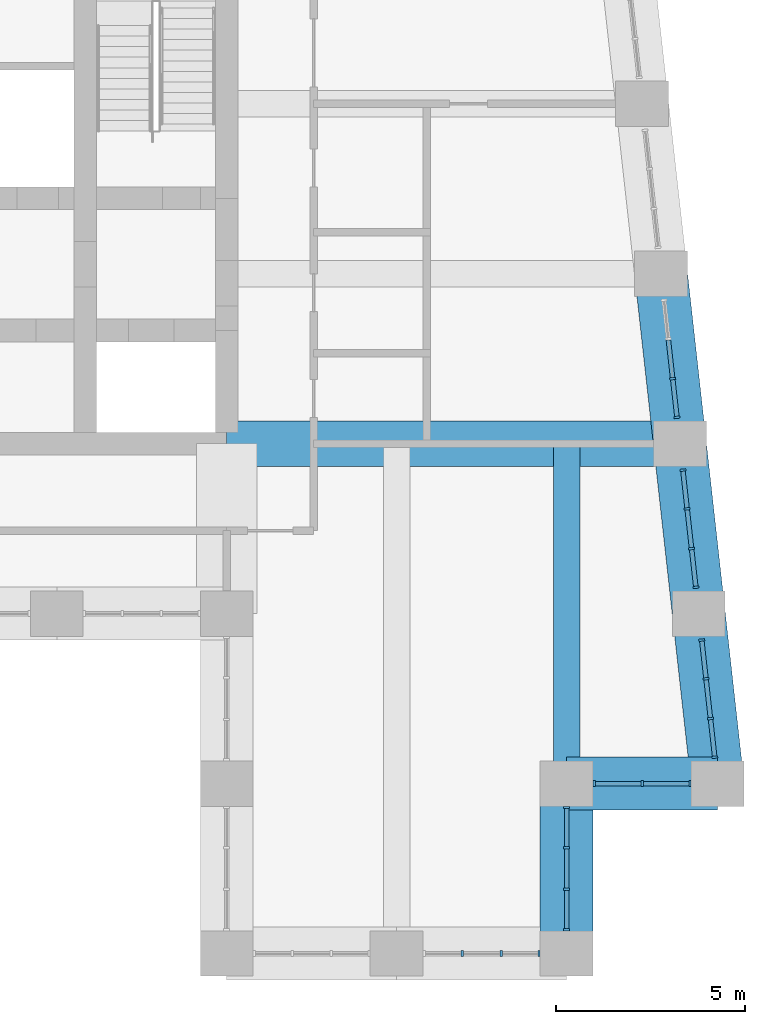
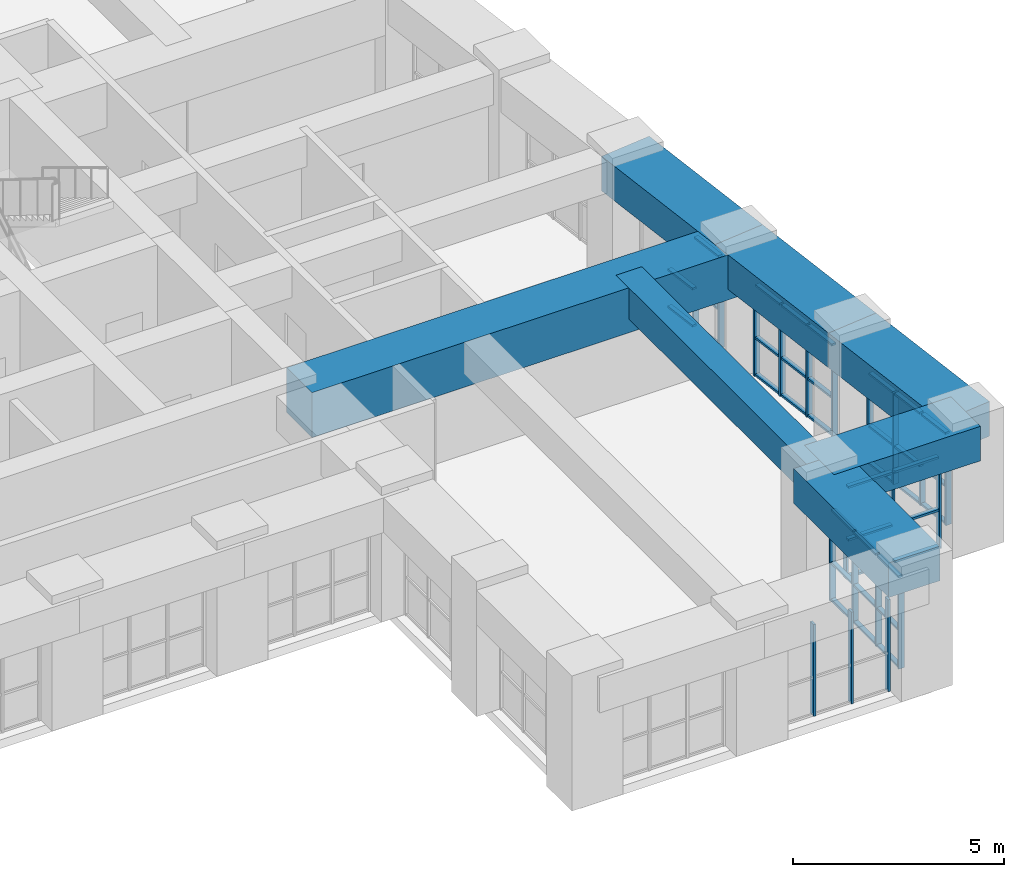
# One storey, part 6 of 18: 58 members, 7 beams, 6 elements without a shape of their own.
"""IFC4 building model written with IfcOpenShell, lengths in metres."""

from ifc_helpers import new_model, si_unit, direction, frame, origin, origin_2d, place, context, subcontext, project, spatial, rectangle, extrude, material, material_profile, profile_set, type_object, element, aggregate, save


model = new_model("IFC4")

# Units and contexts
model_context = context("Model", 3, precision=1e-05, world=origin(), true_north=direction((0.0, 1.0)))
body_context = subcontext(model_context, "Body", "Model", "MODEL_VIEW")
ifc_project = project(units=[si_unit("LENGTHUNIT", "METRE"), si_unit("AREAUNIT", "SQUARE_METRE"), si_unit("VOLUMEUNIT", "CUBIC_METRE"), si_unit("PLANEANGLEUNIT", "RADIAN"), si_unit("MASSUNIT", "GRAM", prefix="KILO")], contexts=[model_context])

# Site, building, storey
site_placement = place(None, origin())
site = spatial("IfcSite", under=ifc_project, at=site_placement, CompositionType="ELEMENT")
building_placement = place(site_placement, origin())
building = spatial("IfcBuilding", under=site, at=building_placement, Name="Kilele Tower Hotel", CompositionType="ELEMENT")
storey_placement = place(building_placement, frame((0.0, 0.0, 281.89990234375)))
storey = spatial("IfcBuildingStorey", under=building, at=storey_placement, Name="L72", CompositionType="ELEMENT", Elevation=281.89990234375)

# Beams
ifc_material_1 = material(Name="Concrete C60/75", Category="concrete")
ifc_material_profile_1 = material_profile(ifc_material_1, rectangle(XDim=0.699951171875, YDim=0.89990234375, at=origin_2d()))
ifc_profile_set_1 = profile_set([ifc_material_profile_1], Name="Concrete C60/75")
beam_type_1 = type_object("IfcBeamType", Name="Beam RC 700x900 C60/75 mid span", PredefinedType="BEAM", material=ifc_profile_set_1)
beam_1_placement = place(storey_placement, frame((45.0, 4.5, 3.2001953125), z_axis=(0.0, 1.0, 0.0), x_axis=(-1.0, 0.0, 0.0)))
element("IfcBeam", 1, at=beam_1_placement, inside=storey, type_object=beam_type_1, Name="Beam B2 level L73", PredefinedType="BEAM", context=body_context, shape_type="SweptSolid", body=[
    extrude(rectangle(XDim=0.699951171875, YDim=0.89990234375, at=origin_2d()), origin(), (0.0, 0.0, 1.0), 9.0),
])
ifc_material_2 = material(Name="Concrete C60/75", Category="concrete")
ifc_material_profile_2 = material_profile(ifc_material_2, rectangle(XDim=1.199951171875, YDim=1.300048828125, at=origin_2d()))
ifc_profile_set_2 = profile_set([ifc_material_profile_2], Name="Concrete C60/75")
beam_type_2 = type_object("IfcBeamType", Name="Girder RC 1200x1300 C60/75", PredefinedType="BEAM", material=ifc_profile_set_2)
beam_2_placement = place(storey_placement, frame((48.0, 13.5, 3.0), z_axis=(-1.0, 0.0, 0.0), x_axis=(0.0, -1.0, 0.0)))
element("IfcBeam", 2, at=beam_2_placement, inside=storey, type_object=beam_type_2, Name="Girder G1 level L73", PredefinedType="BEAM", context=body_context, shape_type="SweptSolid", body=[
    extrude(rectangle(XDim=1.199951171875, YDim=1.300048828125, at=origin_2d()), origin(), (0.0, 0.0, 1.0), 12.0),
])

# Curtain wall, members
ifc_material_3 = material(Name="Aluminium curtain wall, clear double glazing", Category="aluminium")
curtain_wall_type = type_object("IfcCurtainWallType", Name="Sky restaurant curtain wall CW-5", PredefinedType="NOTDEFINED", material=ifc_material_3)
curtain_wall_1_placement = place(storey_placement, origin())
curtain_wall_1 = element("IfcCurtainWall", 3, at=curtain_wall_1_placement, inside=storey, type_object=curtain_wall_type, Name="Sky restaurant curtain wall CW-5 L72", PredefinedType="NOTDEFINED")
ifc_material_4 = material(Name="Aluminium EN AW-6063 T6", Category="aluminium")
ifc_material_profile_3 = material_profile(ifc_material_4, rectangle(XDim=0.159912109375, YDim=0.06005859375, at=origin_2d()))
ifc_profile_set_3 = profile_set([ifc_material_profile_3], Name="Aluminium EN AW-6063 T6")
member_type_1 = type_object("IfcMemberType", Name="Mullion 60x160 CW-5", PredefinedType="MULLION", material=ifc_profile_set_3)
member_1_placement = place(storey_placement, frame((42.2333984375, 0.0, 0.0), z_axis=(0.0, 0.0, 1.0), x_axis=(0.0, 1.0, 0.0)))
member_1 = element("IfcMember", 4, at=member_1_placement, type_object=member_type_1, Name="CW-5 mullion 2", PredefinedType="MULLION", context=body_context, shape_type="SweptSolid", body=[
    extrude(rectangle(XDim=0.159912109375, YDim=0.06005859375, at=origin_2d()), origin(), (0.0, 0.0, 1.0), 2.650146484375),
])
member_2_placement = place(storey_placement, frame((43.2666015625, 0.0, 0.0), z_axis=(0.0, 0.0, 1.0), x_axis=(0.0, 1.0, 0.0)))
member_2 = element("IfcMember", 5, at=member_2_placement, type_object=member_type_1, Name="CW-5 mullion 3", PredefinedType="MULLION", context=body_context, shape_type="SweptSolid", body=[
    extrude(rectangle(XDim=0.159912109375, YDim=0.06005859375, at=origin_2d()), origin(), (0.0, 0.0, 1.0), 2.650146484375),
])
member_3_placement = place(storey_placement, frame((44.27001953125, 0.0, 0.0), z_axis=(0.0, 0.0, 1.0), x_axis=(0.0, 1.0, 0.0)))
member_3 = element("IfcMember", 6, at=member_3_placement, type_object=member_type_1, Name="CW-5 mullion 4", PredefinedType="MULLION", context=body_context, shape_type="SweptSolid", body=[
    extrude(rectangle(XDim=0.159912109375, YDim=0.06005859375, at=origin_2d()), origin(), (0.0, 0.0, 1.0), 2.650146484375),
])
aggregate(curtain_wall_1, [member_1, member_2, member_3])

curtain_wall_2_placement = place(storey_placement, origin())
curtain_wall_2 = element("IfcCurtainWall", 7, at=curtain_wall_2_placement, inside=storey, type_object=curtain_wall_type, Name="Sky restaurant curtain wall CW-5 L72", PredefinedType="NOTDEFINED")
member_4_placement = place(storey_placement, frame((45.0, 0.6298828125, 0.0), z_axis=(0.0, 0.0, 1.0), x_axis=(-1.0, 0.0, 0.0)))
member_4 = element("IfcMember", 8, at=member_4_placement, type_object=member_type_1, Name="CW-5 mullion 1", PredefinedType="MULLION", context=body_context, shape_type="SweptSolid", body=[
    extrude(rectangle(XDim=0.159912109375, YDim=0.06005859375, at=origin_2d()), origin(), (0.0, 0.0, 1.0), 2.650146484375),
])
member_5_placement = place(storey_placement, frame((45.0, 1.699951171875, 0.0), z_axis=(0.0, 0.0, 1.0), x_axis=(-1.0, 0.0, 0.0)))
member_5 = element("IfcMember", 9, at=member_5_placement, type_object=member_type_1, Name="CW-5 mullion 2", PredefinedType="MULLION", context=body_context, shape_type="SweptSolid", body=[
    extrude(rectangle(XDim=0.159912109375, YDim=0.06005859375, at=origin_2d()), origin(), (0.0, 0.0, 1.0), 2.650146484375),
])
member_6_placement = place(storey_placement, frame((45.0, 2.800048828125, 0.0), z_axis=(0.0, 0.0, 1.0), x_axis=(-1.0, 0.0, 0.0)))
member_6 = element("IfcMember", 10, at=member_6_placement, type_object=member_type_1, Name="CW-5 mullion 3", PredefinedType="MULLION", context=body_context, shape_type="SweptSolid", body=[
    extrude(rectangle(XDim=0.159912109375, YDim=0.06005859375, at=origin_2d()), origin(), (0.0, 0.0, 1.0), 2.650146484375),
])
member_7_placement = place(storey_placement, frame((45.0, 3.8701171875, 0.0), z_axis=(0.0, 0.0, 1.0), x_axis=(-1.0, 0.0, 0.0)))
member_7 = element("IfcMember", 11, at=member_7_placement, type_object=member_type_1, Name="CW-5 mullion 4", PredefinedType="MULLION", context=body_context, shape_type="SweptSolid", body=[
    extrude(rectangle(XDim=0.159912109375, YDim=0.06005859375, at=origin_2d()), origin(), (0.0, 0.0, 1.0), 2.650146484375),
])

curtain_wall_3_placement = place(storey_placement, origin())
curtain_wall_3 = element("IfcCurtainWall", 12, at=curtain_wall_3_placement, inside=storey, type_object=curtain_wall_type, Name="Sky restaurant curtain wall CW-5 L72", PredefinedType="NOTDEFINED")
member_8_placement = place(storey_placement, frame((45.72998046875, 4.5, 0.0), z_axis=(0.0, 0.0, 1.0), x_axis=(0.0, 1.0, 0.0)))
member_8 = element("IfcMember", 13, at=member_8_placement, type_object=member_type_1, Name="CW-5 mullion 1", PredefinedType="MULLION", context=body_context, shape_type="SweptSolid", body=[
    extrude(rectangle(XDim=0.159912109375, YDim=0.06005859375, at=origin_2d()), origin(), (0.0, 0.0, 1.0), 2.650146484375),
])
member_9_placement = place(storey_placement, frame((47.0, 4.5, 0.0), z_axis=(0.0, 0.0, 1.0), x_axis=(0.0, 1.0, 0.0)))
member_9 = element("IfcMember", 14, at=member_9_placement, type_object=member_type_1, Name="CW-5 mullion 2", PredefinedType="MULLION", context=body_context, shape_type="SweptSolid", body=[
    extrude(rectangle(XDim=0.159912109375, YDim=0.06005859375, at=origin_2d()), origin(), (0.0, 0.0, 1.0), 2.650146484375),
])
member_10_placement = place(storey_placement, frame((48.27001953125, 4.5, 0.0), z_axis=(0.0, 0.0, 1.0), x_axis=(0.0, 1.0, 0.0)))
member_10 = element("IfcMember", 15, at=member_10_placement, type_object=member_type_1, Name="CW-5 mullion 3", PredefinedType="MULLION", context=body_context, shape_type="SweptSolid", body=[
    extrude(rectangle(XDim=0.159912109375, YDim=0.06005859375, at=origin_2d()), origin(), (0.0, 0.0, 1.0), 2.650146484375),
])

curtain_wall_4_placement = place(storey_placement, origin())
curtain_wall_4 = element("IfcCurtainWall", 16, at=curtain_wall_4_placement, inside=storey, type_object=curtain_wall_type, Name="Sky restaurant curtain wall CW-5 L72", PredefinedType="NOTDEFINED")
member_11_placement = place(storey_placement, frame((48.92236328125, 5.19921875, 0.0), z_axis=(0.0, 0.0, 1.0), x_axis=(-0.993883734681, -0.110431526007, 0.0)))
member_11 = element("IfcMember", 17, at=member_11_placement, type_object=member_type_1, Name="CW-5 mullion 1", PredefinedType="MULLION", context=body_context, shape_type="SweptSolid", body=[
    extrude(rectangle(XDim=0.159912109375, YDim=0.06005859375, at=origin_2d()), origin(), (0.0, 0.0, 1.0), 2.650146484375),
])
member_12_placement = place(storey_placement, frame((48.80859375, 6.22314453125, 0.0), z_axis=(0.0, 0.0, 1.0), x_axis=(-0.993883734681, -0.110431526007, 0.0)))
member_12 = element("IfcMember", 18, at=member_12_placement, type_object=member_type_1, Name="CW-5 mullion 2", PredefinedType="MULLION", context=body_context, shape_type="SweptSolid", body=[
    extrude(rectangle(XDim=0.159912109375, YDim=0.06005859375, at=origin_2d()), origin(), (0.0, 0.0, 1.0), 2.650146484375),
])
member_13_placement = place(storey_placement, frame((48.69140625, 7.27685546875, 0.0), z_axis=(0.0, 0.0, 1.0), x_axis=(-0.993883734681, -0.110431526007, 0.0)))
member_13 = element("IfcMember", 19, at=member_13_placement, type_object=member_type_1, Name="CW-5 mullion 3", PredefinedType="MULLION", context=body_context, shape_type="SweptSolid", body=[
    extrude(rectangle(XDim=0.159912109375, YDim=0.06005859375, at=origin_2d()), origin(), (0.0, 0.0, 1.0), 2.650146484375),
])
member_14_placement = place(storey_placement, frame((48.57763671875, 8.30078125, 0.0), z_axis=(0.0, 0.0, 1.0), x_axis=(-0.993883734681, -0.110431526007, 0.0)))
member_14 = element("IfcMember", 20, at=member_14_placement, type_object=member_type_1, Name="CW-5 mullion 4", PredefinedType="MULLION", context=body_context, shape_type="SweptSolid", body=[
    extrude(rectangle(XDim=0.159912109375, YDim=0.06005859375, at=origin_2d()), origin(), (0.0, 0.0, 1.0), 2.650146484375),
])

curtain_wall_5_placement = place(storey_placement, origin())
curtain_wall_5 = element("IfcCurtainWall", 21, at=curtain_wall_5_placement, inside=storey, type_object=curtain_wall_type, Name="Sky restaurant curtain wall CW-5 L72", PredefinedType="NOTDEFINED")
member_15_placement = place(storey_placement, frame((48.42236328125, 9.69921875, 0.0), z_axis=(0.0, 0.0, 1.0), x_axis=(-0.993883734681, -0.110431526007, 0.0)))
member_15 = element("IfcMember", 22, at=member_15_placement, type_object=member_type_1, Name="CW-5 mullion 1", PredefinedType="MULLION", context=body_context, shape_type="SweptSolid", body=[
    extrude(rectangle(XDim=0.159912109375, YDim=0.06005859375, at=origin_2d()), origin(), (0.0, 0.0, 1.0), 2.650146484375),
])
member_16_placement = place(storey_placement, frame((48.30859375, 10.72314453125, 0.0), z_axis=(0.0, 0.0, 1.0), x_axis=(-0.993883734681, -0.110431526007, 0.0)))
member_16 = element("IfcMember", 23, at=member_16_placement, type_object=member_type_1, Name="CW-5 mullion 2", PredefinedType="MULLION", context=body_context, shape_type="SweptSolid", body=[
    extrude(rectangle(XDim=0.159912109375, YDim=0.06005859375, at=origin_2d()), origin(), (0.0, 0.0, 1.0), 2.650146484375),
])
member_17_placement = place(storey_placement, frame((48.19140625, 11.77685546875, 0.0), z_axis=(0.0, 0.0, 1.0), x_axis=(-0.993883734681, -0.110431526007, 0.0)))
member_17 = element("IfcMember", 24, at=member_17_placement, type_object=member_type_1, Name="CW-5 mullion 3", PredefinedType="MULLION", context=body_context, shape_type="SweptSolid", body=[
    extrude(rectangle(XDim=0.159912109375, YDim=0.06005859375, at=origin_2d()), origin(), (0.0, 0.0, 1.0), 2.650146484375),
])
member_18_placement = place(storey_placement, frame((48.07763671875, 12.80078125, 0.0), z_axis=(0.0, 0.0, 1.0), x_axis=(-0.993883734681, -0.110431526007, 0.0)))
member_18 = element("IfcMember", 25, at=member_18_placement, type_object=member_type_1, Name="CW-5 mullion 4", PredefinedType="MULLION", context=body_context, shape_type="SweptSolid", body=[
    extrude(rectangle(XDim=0.159912109375, YDim=0.06005859375, at=origin_2d()), origin(), (0.0, 0.0, 1.0), 2.650146484375),
])

curtain_wall_6_placement = place(storey_placement, origin())
curtain_wall_6 = element("IfcCurtainWall", 26, at=curtain_wall_6_placement, inside=storey, type_object=curtain_wall_type, Name="Sky restaurant curtain wall CW-5 L72", PredefinedType="NOTDEFINED")
member_19_placement = place(storey_placement, frame((47.92236328125, 14.19921875, 0.0), z_axis=(0.0, 0.0, 1.0), x_axis=(-0.993883734681, -0.110431526007, 0.0)))
member_19 = element("IfcMember", 27, at=member_19_placement, type_object=member_type_1, Name="CW-5 mullion 1", PredefinedType="MULLION", context=body_context, shape_type="SweptSolid", body=[
    extrude(rectangle(XDim=0.159912109375, YDim=0.06005859375, at=origin_2d()), origin(), (0.0, 0.0, 1.0), 2.650146484375),
])
member_20_placement = place(storey_placement, frame((47.80859375, 15.22314453125, 0.0), z_axis=(0.0, 0.0, 1.0), x_axis=(-0.993883734681, -0.110431526007, 0.0)))
member_20 = element("IfcMember", 28, at=member_20_placement, type_object=member_type_1, Name="CW-5 mullion 2", PredefinedType="MULLION", context=body_context, shape_type="SweptSolid", body=[
    extrude(rectangle(XDim=0.159912109375, YDim=0.06005859375, at=origin_2d()), origin(), (0.0, 0.0, 1.0), 2.650146484375),
])

# Beams
ifc_material_5 = material(Name="Concrete C60/75", Category="concrete")
ifc_material_profile_4 = material_profile(ifc_material_5, rectangle(XDim=1.39990234375, YDim=1.0, at=origin_2d()))
ifc_profile_set_4 = profile_set([ifc_material_profile_4], Name="Concrete C60/75")
beam_type_3 = type_object("IfcBeamType", Name="Spandrel RC 1400x1000 C60/75", PredefinedType="SPANDREL", material=ifc_profile_set_4)
beam_3_placement = place(storey_placement, frame((45.0, 0.0, 3.150146484375), z_axis=(0.0, 1.0, 0.0), x_axis=(-1.0, 0.0, 0.0)))
element("IfcBeam", 29, at=beam_3_placement, inside=storey, type_object=beam_type_3, Name="Spandrel SP1 level L73", PredefinedType="SPANDREL", context=body_context, shape_type="SweptSolid", body=[
    extrude(rectangle(XDim=1.39990234375, YDim=1.0, at=origin_2d()), origin(), (0.0, 0.0, 1.0), 4.5),
])
beam_4_placement = place(storey_placement, frame((45.0, 4.5, 3.150146484375), z_axis=(1.0, 0.0, 0.0), x_axis=(0.0, 1.0, 0.0)))
element("IfcBeam", 30, at=beam_4_placement, inside=storey, type_object=beam_type_3, Name="Spandrel SP1 level L73", PredefinedType="SPANDREL", context=body_context, shape_type="SweptSolid", body=[
    extrude(rectangle(XDim=1.39990234375, YDim=1.0, at=origin_2d()), origin(), (0.0, 0.0, 1.0), 4.0),
])
for number, where, z_axis, x_axis, name in (
    (31, (49.0, 4.5, 3.150146484375), (-0.110431526075, 0.993883734674, 0.0), (-0.993883734674, -0.110431526075, 0.0), "Spandrel SP1 level L73"),
    (32, (48.5, 9.0, 3.150146484375), (-0.110431526075, 0.993883734674, 0.0), (-0.993883734674, -0.110431526075, 0.0), "Spandrel SP1 level L73"),
    (33, (48.0, 13.5, 3.150146484375), (-0.110431526075, 0.993883734674, 0.0), (-0.993883734674, -0.110431526075, 0.0), "Spandrel SP1 level L73"),
):
    element("IfcBeam", number, at=place(storey_placement, frame(where, z_axis=z_axis, x_axis=x_axis)), inside=storey, type_object=beam_type_3, Name=name, PredefinedType="SPANDREL", context=body_context, shape_type="SweptSolid", body=[
        extrude(rectangle(XDim=1.39990234375, YDim=1.0, at=origin_2d()), origin(), (0.0, 0.0, 1.0), 4.527587890625),
    ])

# Member
ifc_material_6 = material(Name="Aluminium EN AW-6063 T6", Category="aluminium")
ifc_material_profile_5 = material_profile(ifc_material_6, rectangle(XDim=0.1201171875, YDim=0.06005859375, at=origin_2d()))
ifc_profile_set_5 = profile_set([ifc_material_profile_5], Name="Aluminium EN AW-6063 T6")
member_type_2 = type_object("IfcMemberType", Name="Transom 60x120 CW-5", PredefinedType="USERDEFINED", material=ifc_profile_set_5)
member_21_placement = place(storey_placement, frame((45.0, 0.659912109375, 0.030029296875), z_axis=(0.0, 1.0, 0.0), x_axis=(-1.0, 0.0, 0.0)))
member_21 = element("IfcMember", 34, at=member_21_placement, type_object=member_type_2, Name="CW-5 transom 1.1", ObjectType="TRANSOM", PredefinedType="USERDEFINED", context=body_context, shape_type="SweptSolid", body=[
    extrude(rectangle(XDim=0.1201171875, YDim=0.06005859375, at=origin_2d()), origin(), (0.0, 0.0, 1.0), 1.010009765625),
])

member_22_placement = place(storey_placement, frame((45.0, 0.659912109375, 1.10009765625), z_axis=(0.0, 1.0, 0.0), x_axis=(-1.0, 0.0, 0.0)))
member_22 = element("IfcMember", 35, at=member_22_placement, type_object=member_type_2, Name="CW-5 transom 1.2", ObjectType="TRANSOM", PredefinedType="USERDEFINED", context=body_context, shape_type="SweptSolid", body=[
    extrude(rectangle(XDim=0.1201171875, YDim=0.06005859375, at=origin_2d()), origin(), (0.0, 0.0, 1.0), 1.010009765625),
])

member_23_placement = place(storey_placement, frame((45.0, 0.659912109375, 2.6201171875), z_axis=(0.0, 1.0, 0.0), x_axis=(-1.0, 0.0, 0.0)))
member_23 = element("IfcMember", 36, at=member_23_placement, type_object=member_type_2, Name="CW-5 transom 1.3", ObjectType="TRANSOM", PredefinedType="USERDEFINED", context=body_context, shape_type="SweptSolid", body=[
    extrude(rectangle(XDim=0.1201171875, YDim=0.06005859375, at=origin_2d()), origin(), (0.0, 0.0, 1.0), 1.010009765625),
])

member_24_placement = place(storey_placement, frame((45.0, 1.72998046875, 0.030029296875), z_axis=(0.0, 1.0, 0.0), x_axis=(-1.0, 0.0, 0.0)))
member_24 = element("IfcMember", 37, at=member_24_placement, type_object=member_type_2, Name="CW-5 transom 2.1", ObjectType="TRANSOM", PredefinedType="USERDEFINED", context=body_context, shape_type="SweptSolid", body=[
    extrude(rectangle(XDim=0.1201171875, YDim=0.06005859375, at=origin_2d()), origin(), (0.0, 0.0, 1.0), 1.0400390625),
])

member_25_placement = place(storey_placement, frame((45.0, 1.72998046875, 1.10009765625), z_axis=(0.0, 1.0, 0.0), x_axis=(-1.0, 0.0, 0.0)))
member_25 = element("IfcMember", 38, at=member_25_placement, type_object=member_type_2, Name="CW-5 transom 2.2", ObjectType="TRANSOM", PredefinedType="USERDEFINED", context=body_context, shape_type="SweptSolid", body=[
    extrude(rectangle(XDim=0.1201171875, YDim=0.06005859375, at=origin_2d()), origin(), (0.0, 0.0, 1.0), 1.0400390625),
])

member_26_placement = place(storey_placement, frame((45.0, 1.72998046875, 2.6201171875), z_axis=(0.0, 1.0, 0.0), x_axis=(-1.0, 0.0, 0.0)))
member_26 = element("IfcMember", 39, at=member_26_placement, type_object=member_type_2, Name="CW-5 transom 2.3", ObjectType="TRANSOM", PredefinedType="USERDEFINED", context=body_context, shape_type="SweptSolid", body=[
    extrude(rectangle(XDim=0.1201171875, YDim=0.06005859375, at=origin_2d()), origin(), (0.0, 0.0, 1.0), 1.0400390625),
])

member_27_placement = place(storey_placement, frame((45.0, 2.830078125, 0.030029296875), z_axis=(0.0, 1.0, 0.0), x_axis=(-1.0, 0.0, 0.0)))
member_27 = element("IfcMember", 40, at=member_27_placement, type_object=member_type_2, Name="CW-5 transom 3.1", ObjectType="TRANSOM", PredefinedType="USERDEFINED", context=body_context, shape_type="SweptSolid", body=[
    extrude(rectangle(XDim=0.1201171875, YDim=0.06005859375, at=origin_2d()), origin(), (0.0, 0.0, 1.0), 1.010009765625),
])

member_28_placement = place(storey_placement, frame((45.0, 2.830078125, 1.10009765625), z_axis=(0.0, 1.0, 0.0), x_axis=(-1.0, 0.0, 0.0)))
member_28 = element("IfcMember", 41, at=member_28_placement, type_object=member_type_2, Name="CW-5 transom 3.2", ObjectType="TRANSOM", PredefinedType="USERDEFINED", context=body_context, shape_type="SweptSolid", body=[
    extrude(rectangle(XDim=0.1201171875, YDim=0.06005859375, at=origin_2d()), origin(), (0.0, 0.0, 1.0), 1.010009765625),
])

member_29_placement = place(storey_placement, frame((45.0, 2.830078125, 2.6201171875), z_axis=(0.0, 1.0, 0.0), x_axis=(-1.0, 0.0, 0.0)))
member_29 = element("IfcMember", 42, at=member_29_placement, type_object=member_type_2, Name="CW-5 transom 3.3", ObjectType="TRANSOM", PredefinedType="USERDEFINED", context=body_context, shape_type="SweptSolid", body=[
    extrude(rectangle(XDim=0.1201171875, YDim=0.06005859375, at=origin_2d()), origin(), (0.0, 0.0, 1.0), 1.010009765625),
])

aggregate(curtain_wall_2, [member_4, member_5, member_6, member_7, member_21, member_22, member_23, member_24, member_25, member_26, member_27, member_28, member_29])

member_30_placement = place(storey_placement, frame((45.760009765625, 4.5, 0.030029296875), z_axis=(1.0, 0.0, 0.0), x_axis=(0.0, 1.0, 0.0)))
member_30 = element("IfcMember", 43, at=member_30_placement, type_object=member_type_2, Name="CW-5 transom 1.1", ObjectType="TRANSOM", PredefinedType="USERDEFINED", context=body_context, shape_type="SweptSolid", body=[
    extrude(rectangle(XDim=0.1201171875, YDim=0.06005859375, at=origin_2d()), origin(), (0.0, 0.0, 1.0), 1.2099609375),
])

member_31_placement = place(storey_placement, frame((45.760009765625, 4.5, 1.10009765625), z_axis=(1.0, 0.0, 0.0), x_axis=(0.0, 1.0, 0.0)))
member_31 = element("IfcMember", 44, at=member_31_placement, type_object=member_type_2, Name="CW-5 transom 1.2", ObjectType="TRANSOM", PredefinedType="USERDEFINED", context=body_context, shape_type="SweptSolid", body=[
    extrude(rectangle(XDim=0.1201171875, YDim=0.06005859375, at=origin_2d()), origin(), (0.0, 0.0, 1.0), 1.2099609375),
])

member_32_placement = place(storey_placement, frame((45.760009765625, 4.5, 2.6201171875), z_axis=(1.0, 0.0, 0.0), x_axis=(0.0, 1.0, 0.0)))
member_32 = element("IfcMember", 45, at=member_32_placement, type_object=member_type_2, Name="CW-5 transom 1.3", ObjectType="TRANSOM", PredefinedType="USERDEFINED", context=body_context, shape_type="SweptSolid", body=[
    extrude(rectangle(XDim=0.1201171875, YDim=0.06005859375, at=origin_2d()), origin(), (0.0, 0.0, 1.0), 1.2099609375),
])

member_33_placement = place(storey_placement, frame((47.030029296875, 4.5, 0.030029296875), z_axis=(1.0, 0.0, 0.0), x_axis=(0.0, 1.0, 0.0)))
member_33 = element("IfcMember", 46, at=member_33_placement, type_object=member_type_2, Name="CW-5 transom 2.1", ObjectType="TRANSOM", PredefinedType="USERDEFINED", context=body_context, shape_type="SweptSolid", body=[
    extrude(rectangle(XDim=0.1201171875, YDim=0.06005859375, at=origin_2d()), origin(), (0.0, 0.0, 1.0), 1.2099609375),
])

member_34_placement = place(storey_placement, frame((47.030029296875, 4.5, 1.10009765625), z_axis=(1.0, 0.0, 0.0), x_axis=(0.0, 1.0, 0.0)))
member_34 = element("IfcMember", 47, at=member_34_placement, type_object=member_type_2, Name="CW-5 transom 2.2", ObjectType="TRANSOM", PredefinedType="USERDEFINED", context=body_context, shape_type="SweptSolid", body=[
    extrude(rectangle(XDim=0.1201171875, YDim=0.06005859375, at=origin_2d()), origin(), (0.0, 0.0, 1.0), 1.2099609375),
])

member_35_placement = place(storey_placement, frame((47.030029296875, 4.5, 2.6201171875), z_axis=(1.0, 0.0, 0.0), x_axis=(0.0, 1.0, 0.0)))
member_35 = element("IfcMember", 48, at=member_35_placement, type_object=member_type_2, Name="CW-5 transom 2.3", ObjectType="TRANSOM", PredefinedType="USERDEFINED", context=body_context, shape_type="SweptSolid", body=[
    extrude(rectangle(XDim=0.1201171875, YDim=0.06005859375, at=origin_2d()), origin(), (0.0, 0.0, 1.0), 1.2099609375),
])

aggregate(curtain_wall_3, [member_8, member_9, member_10, member_30, member_31, member_32, member_33, member_34, member_35])

member_36_placement = place(storey_placement, frame((48.9189453125, 5.229248046875, 0.030029296875), z_axis=(-0.11048677236, 0.993877594643, 0.0), x_axis=(-0.993877594643, -0.11048677236, 0.0)))
member_36 = element("IfcMember", 49, at=member_36_placement, type_object=member_type_2, Name="CW-5 transom 1.1", ObjectType="TRANSOM", PredefinedType="USERDEFINED", context=body_context, shape_type="SweptSolid", body=[
    extrude(rectangle(XDim=0.1201171875, YDim=0.06005859375, at=origin_2d()), origin(), (0.0, 0.0, 1.0), 0.969970703125),
])

member_37_placement = place(storey_placement, frame((48.9189453125, 5.229248046875, 1.10009765625), z_axis=(-0.11048677236, 0.993877594643, 0.0), x_axis=(-0.993877594643, -0.11048677236, 0.0)))
member_37 = element("IfcMember", 50, at=member_37_placement, type_object=member_type_2, Name="CW-5 transom 1.2", ObjectType="TRANSOM", PredefinedType="USERDEFINED", context=body_context, shape_type="SweptSolid", body=[
    extrude(rectangle(XDim=0.1201171875, YDim=0.06005859375, at=origin_2d()), origin(), (0.0, 0.0, 1.0), 0.969970703125),
])

member_38_placement = place(storey_placement, frame((48.9189453125, 5.229248046875, 2.6201171875), z_axis=(-0.11048677236, 0.993877594643, 0.0), x_axis=(-0.993877594643, -0.11048677236, 0.0)))
member_38 = element("IfcMember", 51, at=member_38_placement, type_object=member_type_2, Name="CW-5 transom 1.3", ObjectType="TRANSOM", PredefinedType="USERDEFINED", context=body_context, shape_type="SweptSolid", body=[
    extrude(rectangle(XDim=0.1201171875, YDim=0.06005859375, at=origin_2d()), origin(), (0.0, 0.0, 1.0), 0.969970703125),
])

member_39_placement = place(storey_placement, frame((48.80517578125, 6.2529296875, 0.030029296875), z_axis=(-0.110324368158, 0.993895635261, 0.0), x_axis=(-0.993895635261, -0.110324368158, 0.0)))
member_39 = element("IfcMember", 52, at=member_39_placement, type_object=member_type_2, Name="CW-5 transom 2.1", ObjectType="TRANSOM", PredefinedType="USERDEFINED", context=body_context, shape_type="SweptSolid", body=[
    extrude(rectangle(XDim=0.1201171875, YDim=0.06005859375, at=origin_2d()), origin(), (0.0, 0.0, 1.0), 1.000244140625),
])

member_40_placement = place(storey_placement, frame((48.80517578125, 6.2529296875, 1.10009765625), z_axis=(-0.110324368158, 0.993895635261, 0.0), x_axis=(-0.993895635261, -0.110324368158, 0.0)))
member_40 = element("IfcMember", 53, at=member_40_placement, type_object=member_type_2, Name="CW-5 transom 2.2", ObjectType="TRANSOM", PredefinedType="USERDEFINED", context=body_context, shape_type="SweptSolid", body=[
    extrude(rectangle(XDim=0.1201171875, YDim=0.06005859375, at=origin_2d()), origin(), (0.0, 0.0, 1.0), 1.000244140625),
])

member_41_placement = place(storey_placement, frame((48.80517578125, 6.2529296875, 2.6201171875), z_axis=(-0.110324368158, 0.993895635261, 0.0), x_axis=(-0.993895635261, -0.110324368158, 0.0)))
member_41 = element("IfcMember", 54, at=member_41_placement, type_object=member_type_2, Name="CW-5 transom 2.3", ObjectType="TRANSOM", PredefinedType="USERDEFINED", context=body_context, shape_type="SweptSolid", body=[
    extrude(rectangle(XDim=0.1201171875, YDim=0.06005859375, at=origin_2d()), origin(), (0.0, 0.0, 1.0), 1.000244140625),
])

member_42_placement = place(storey_placement, frame((48.688232421875, 7.306640625, 0.030029296875), z_axis=(-0.11048677236, 0.993877594643, 0.0), x_axis=(-0.993877594643, -0.11048677236, 0.0)))
member_42 = element("IfcMember", 55, at=member_42_placement, type_object=member_type_2, Name="CW-5 transom 3.1", ObjectType="TRANSOM", PredefinedType="USERDEFINED", context=body_context, shape_type="SweptSolid", body=[
    extrude(rectangle(XDim=0.1201171875, YDim=0.06005859375, at=origin_2d()), origin(), (0.0, 0.0, 1.0), 0.969970703125),
])

member_43_placement = place(storey_placement, frame((48.688232421875, 7.306640625, 1.10009765625), z_axis=(-0.11048677236, 0.993877594643, 0.0), x_axis=(-0.993877594643, -0.11048677236, 0.0)))
member_43 = element("IfcMember", 56, at=member_43_placement, type_object=member_type_2, Name="CW-5 transom 3.2", ObjectType="TRANSOM", PredefinedType="USERDEFINED", context=body_context, shape_type="SweptSolid", body=[
    extrude(rectangle(XDim=0.1201171875, YDim=0.06005859375, at=origin_2d()), origin(), (0.0, 0.0, 1.0), 0.969970703125),
])

member_44_placement = place(storey_placement, frame((48.688232421875, 7.306640625, 2.6201171875), z_axis=(-0.11048677236, 0.993877594643, 0.0), x_axis=(-0.993877594643, -0.11048677236, 0.0)))
member_44 = element("IfcMember", 57, at=member_44_placement, type_object=member_type_2, Name="CW-5 transom 3.3", ObjectType="TRANSOM", PredefinedType="USERDEFINED", context=body_context, shape_type="SweptSolid", body=[
    extrude(rectangle(XDim=0.1201171875, YDim=0.06005859375, at=origin_2d()), origin(), (0.0, 0.0, 1.0), 0.969970703125),
])

aggregate(curtain_wall_4, [member_11, member_12, member_13, member_14, member_36, member_37, member_38, member_39, member_40, member_41, member_42, member_43, member_44])

member_45_placement = place(storey_placement, frame((48.4189453125, 9.729248046875, 0.030029296875), z_axis=(-0.11048677236, 0.993877594643, 0.0), x_axis=(-0.993877594643, -0.11048677236, 0.0)))
member_45 = element("IfcMember", 58, at=member_45_placement, type_object=member_type_2, Name="CW-5 transom 1.1", ObjectType="TRANSOM", PredefinedType="USERDEFINED", context=body_context, shape_type="SweptSolid", body=[
    extrude(rectangle(XDim=0.1201171875, YDim=0.06005859375, at=origin_2d()), origin(), (0.0, 0.0, 1.0), 0.969970703125),
])

member_46_placement = place(storey_placement, frame((48.4189453125, 9.729248046875, 1.10009765625), z_axis=(-0.11048677236, 0.993877594643, 0.0), x_axis=(-0.993877594643, -0.11048677236, 0.0)))
member_46 = element("IfcMember", 59, at=member_46_placement, type_object=member_type_2, Name="CW-5 transom 1.2", ObjectType="TRANSOM", PredefinedType="USERDEFINED", context=body_context, shape_type="SweptSolid", body=[
    extrude(rectangle(XDim=0.1201171875, YDim=0.06005859375, at=origin_2d()), origin(), (0.0, 0.0, 1.0), 0.969970703125),
])

member_47_placement = place(storey_placement, frame((48.4189453125, 9.729248046875, 2.6201171875), z_axis=(-0.11048677236, 0.993877594643, 0.0), x_axis=(-0.993877594643, -0.11048677236, 0.0)))
member_47 = element("IfcMember", 60, at=member_47_placement, type_object=member_type_2, Name="CW-5 transom 1.3", ObjectType="TRANSOM", PredefinedType="USERDEFINED", context=body_context, shape_type="SweptSolid", body=[
    extrude(rectangle(XDim=0.1201171875, YDim=0.06005859375, at=origin_2d()), origin(), (0.0, 0.0, 1.0), 0.969970703125),
])

member_48_placement = place(storey_placement, frame((48.30517578125, 10.7529296875, 0.030029296875), z_axis=(-0.110324368158, 0.993895635261, 0.0), x_axis=(-0.993895635261, -0.110324368158, 0.0)))
member_48 = element("IfcMember", 61, at=member_48_placement, type_object=member_type_2, Name="CW-5 transom 2.1", ObjectType="TRANSOM", PredefinedType="USERDEFINED", context=body_context, shape_type="SweptSolid", body=[
    extrude(rectangle(XDim=0.1201171875, YDim=0.06005859375, at=origin_2d()), origin(), (0.0, 0.0, 1.0), 1.000244140625),
])

member_49_placement = place(storey_placement, frame((48.30517578125, 10.7529296875, 1.10009765625), z_axis=(-0.110324368158, 0.993895635261, 0.0), x_axis=(-0.993895635261, -0.110324368158, 0.0)))
member_49 = element("IfcMember", 62, at=member_49_placement, type_object=member_type_2, Name="CW-5 transom 2.2", ObjectType="TRANSOM", PredefinedType="USERDEFINED", context=body_context, shape_type="SweptSolid", body=[
    extrude(rectangle(XDim=0.1201171875, YDim=0.06005859375, at=origin_2d()), origin(), (0.0, 0.0, 1.0), 1.000244140625),
])

member_50_placement = place(storey_placement, frame((48.30517578125, 10.7529296875, 2.6201171875), z_axis=(-0.110324368158, 0.993895635261, 0.0), x_axis=(-0.993895635261, -0.110324368158, 0.0)))
member_50 = element("IfcMember", 63, at=member_50_placement, type_object=member_type_2, Name="CW-5 transom 2.3", ObjectType="TRANSOM", PredefinedType="USERDEFINED", context=body_context, shape_type="SweptSolid", body=[
    extrude(rectangle(XDim=0.1201171875, YDim=0.06005859375, at=origin_2d()), origin(), (0.0, 0.0, 1.0), 1.000244140625),
])

member_51_placement = place(storey_placement, frame((48.188232421875, 11.806640625, 0.030029296875), z_axis=(-0.11048677236, 0.993877594643, 0.0), x_axis=(-0.993877594643, -0.11048677236, 0.0)))
member_51 = element("IfcMember", 64, at=member_51_placement, type_object=member_type_2, Name="CW-5 transom 3.1", ObjectType="TRANSOM", PredefinedType="USERDEFINED", context=body_context, shape_type="SweptSolid", body=[
    extrude(rectangle(XDim=0.1201171875, YDim=0.06005859375, at=origin_2d()), origin(), (0.0, 0.0, 1.0), 0.969970703125),
])

member_52_placement = place(storey_placement, frame((48.188232421875, 11.806640625, 1.10009765625), z_axis=(-0.11048677236, 0.993877594643, 0.0), x_axis=(-0.993877594643, -0.11048677236, 0.0)))
member_52 = element("IfcMember", 65, at=member_52_placement, type_object=member_type_2, Name="CW-5 transom 3.2", ObjectType="TRANSOM", PredefinedType="USERDEFINED", context=body_context, shape_type="SweptSolid", body=[
    extrude(rectangle(XDim=0.1201171875, YDim=0.06005859375, at=origin_2d()), origin(), (0.0, 0.0, 1.0), 0.969970703125),
])

member_53_placement = place(storey_placement, frame((48.188232421875, 11.806640625, 2.6201171875), z_axis=(-0.11048677236, 0.993877594643, 0.0), x_axis=(-0.993877594643, -0.11048677236, 0.0)))
member_53 = element("IfcMember", 66, at=member_53_placement, type_object=member_type_2, Name="CW-5 transom 3.3", ObjectType="TRANSOM", PredefinedType="USERDEFINED", context=body_context, shape_type="SweptSolid", body=[
    extrude(rectangle(XDim=0.1201171875, YDim=0.06005859375, at=origin_2d()), origin(), (0.0, 0.0, 1.0), 0.969970703125),
])

aggregate(curtain_wall_5, [member_15, member_16, member_17, member_18, member_45, member_46, member_47, member_48, member_49, member_50, member_51, member_52, member_53])

member_54_placement = place(storey_placement, frame((47.9189453125, 14.229248046875, 0.030029296875), z_axis=(-0.11048677236, 0.993877594643, 0.0), x_axis=(-0.993877594643, -0.11048677236, 0.0)))
member_54 = element("IfcMember", 67, at=member_54_placement, type_object=member_type_2, Name="CW-5 transom 1.1", ObjectType="TRANSOM", PredefinedType="USERDEFINED", context=body_context, shape_type="SweptSolid", body=[
    extrude(rectangle(XDim=0.1201171875, YDim=0.06005859375, at=origin_2d()), origin(), (0.0, 0.0, 1.0), 0.969970703125),
])

member_55_placement = place(storey_placement, frame((47.9189453125, 14.229248046875, 1.10009765625), z_axis=(-0.11048677236, 0.993877594643, 0.0), x_axis=(-0.993877594643, -0.11048677236, 0.0)))
member_55 = element("IfcMember", 68, at=member_55_placement, type_object=member_type_2, Name="CW-5 transom 1.2", ObjectType="TRANSOM", PredefinedType="USERDEFINED", context=body_context, shape_type="SweptSolid", body=[
    extrude(rectangle(XDim=0.1201171875, YDim=0.06005859375, at=origin_2d()), origin(), (0.0, 0.0, 1.0), 0.969970703125),
])

member_56_placement = place(storey_placement, frame((47.9189453125, 14.229248046875, 2.6201171875), z_axis=(-0.11048677236, 0.993877594643, 0.0), x_axis=(-0.993877594643, -0.11048677236, 0.0)))
member_56 = element("IfcMember", 69, at=member_56_placement, type_object=member_type_2, Name="CW-5 transom 1.3", ObjectType="TRANSOM", PredefinedType="USERDEFINED", context=body_context, shape_type="SweptSolid", body=[
    extrude(rectangle(XDim=0.1201171875, YDim=0.06005859375, at=origin_2d()), origin(), (0.0, 0.0, 1.0), 0.969970703125),
])

member_57_placement = place(storey_placement, frame((47.80517578125, 15.2529296875, 0.030029296875), z_axis=(-0.110324368158, 0.993895635261, 0.0), x_axis=(-0.993895635261, -0.110324368158, 0.0)))
member_57 = element("IfcMember", 70, at=member_57_placement, type_object=member_type_2, Name="CW-5 transom 2.1", ObjectType="TRANSOM", PredefinedType="USERDEFINED", context=body_context, shape_type="SweptSolid", body=[
    extrude(rectangle(XDim=0.1201171875, YDim=0.06005859375, at=origin_2d()), origin(), (0.0, 0.0, 1.0), 1.000244140625),
])

member_58_placement = place(storey_placement, frame((47.80517578125, 15.2529296875, 1.10009765625), z_axis=(-0.110324368158, 0.993895635261, 0.0), x_axis=(-0.993895635261, -0.110324368158, 0.0)))
member_58 = element("IfcMember", 71, at=member_58_placement, type_object=member_type_2, Name="CW-5 transom 2.2", ObjectType="TRANSOM", PredefinedType="USERDEFINED", context=body_context, shape_type="SweptSolid", body=[
    extrude(rectangle(XDim=0.1201171875, YDim=0.06005859375, at=origin_2d()), origin(), (0.0, 0.0, 1.0), 1.000244140625),
])

aggregate(curtain_wall_6, [member_19, member_20, member_54, member_55, member_56, member_57, member_58])

save(model, "model.ifc")
